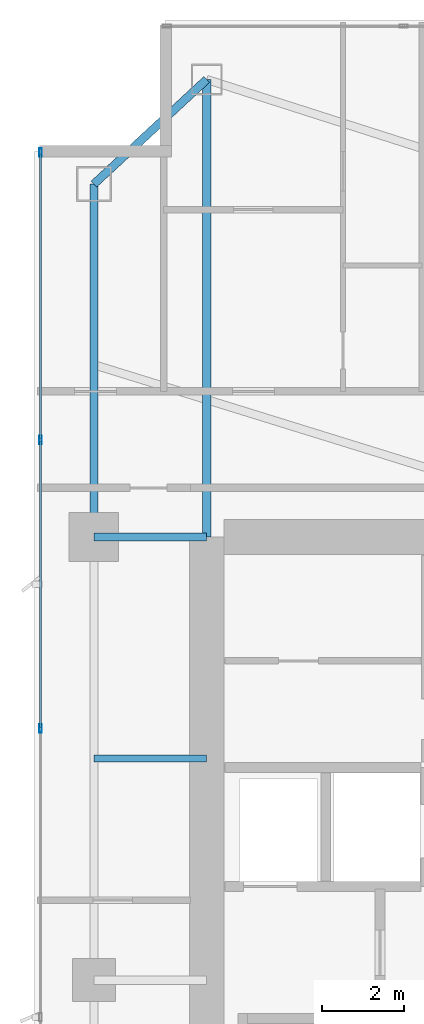
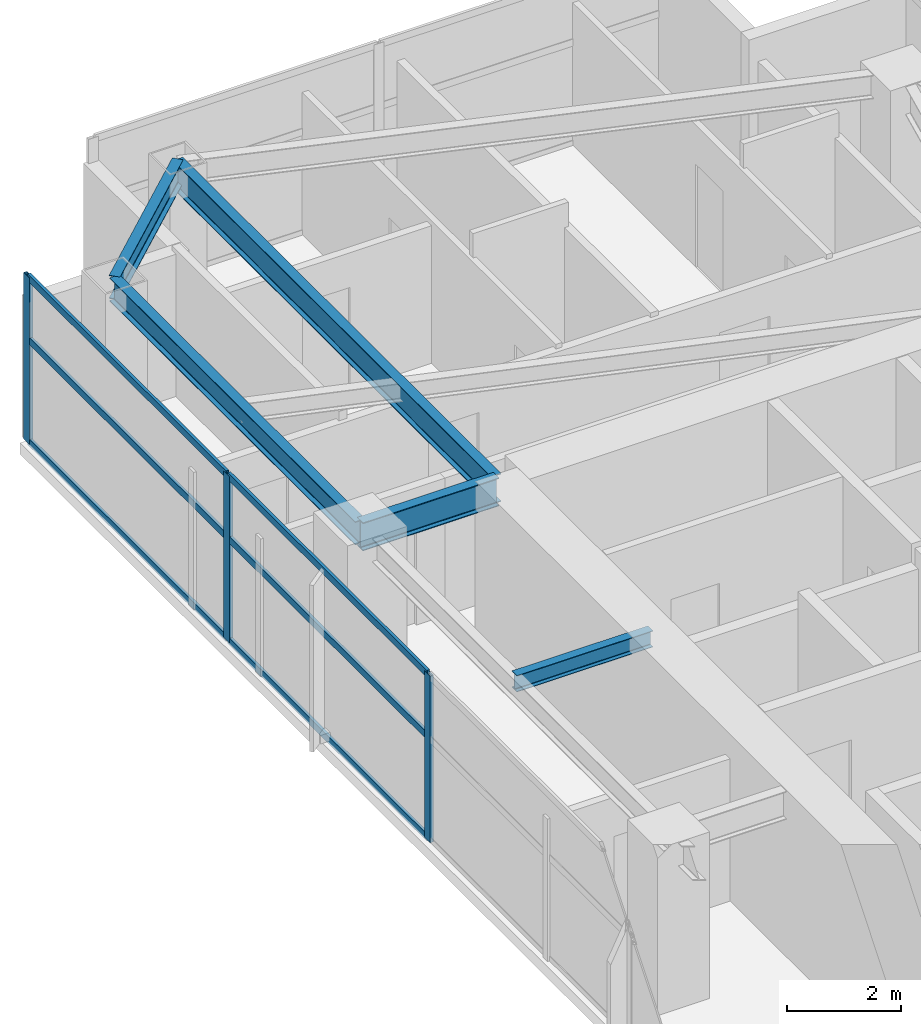
# One storey, part 16 of 28: 9 members, 5 beams, 1 element without a shape of its own.
"""IFC4 building model written with IfcOpenShell, lengths in metres."""

from ifc_helpers import new_model, si_unit, direction, frame, origin, origin_2d, place, context, subcontext, project, spatial, hollow_rectangle, i_section, extrude, material, layer, layer_set, material_profile, profile_set, type_object, element, aggregate, save


model = new_model("IFC4")

# Units and contexts
model_context = context("Model", 3, precision=1e-05, world=origin(), true_north=direction((0.0, 1.0)))
body_context = subcontext(model_context, "Body", "Model", "MODEL_VIEW")
ifc_project = project(units=[si_unit("LENGTHUNIT", "METRE"), si_unit("AREAUNIT", "SQUARE_METRE"), si_unit("VOLUMEUNIT", "CUBIC_METRE"), si_unit("PLANEANGLEUNIT", "RADIAN"), si_unit("MASSUNIT", "GRAM", prefix="KILO")], contexts=[model_context])

# Site, building, storey
site_placement = place(None, origin())
site = spatial("IfcSite", under=ifc_project, at=site_placement, CompositionType="ELEMENT")
building_placement = place(site_placement, origin())
building = spatial("IfcBuilding", under=site, at=building_placement, Name="Calvorn Quay Hotel", CompositionType="ELEMENT")
storey_placement = place(building_placement, frame((0.0, 0.0, 178.89990234375)))
storey = spatial("IfcBuildingStorey", under=building, at=storey_placement, Name="L44", CompositionType="ELEMENT", Elevation=178.89990234375)

# Beams
ifc_material_1 = material(Name="Steel Q355B", Category="steel")
ifc_material_profile_1 = material_profile(ifc_material_1, i_section(OverallWidth=0.199951171875, OverallDepth=0.60009765625, WebThickness=0.010986328125, FlangeThickness=0.01708984375, FilletRadius=0.01806640625, at=origin_2d()), Name="HN600x200x11x17")
ifc_profile_set_1 = profile_set([ifc_material_profile_1], Name="Steel Q355B")
beam_type_1 = type_object("IfcBeamType", Name="BM-GIRD-TYP", PredefinedType="BEAM", material=ifc_profile_set_1)
beam_1_placement = place(storey_placement, frame((1.449951171875, 38.39990234375, 3.239990234375), z_axis=(1.0, 0.0, 0.0), x_axis=(0.0, 1.0, 0.0)))
element("IfcBeam", 1, at=beam_1_placement, inside=storey, type_object=beam_type_1, Name="Beam BG-L44-W3", PredefinedType="BEAM", context=body_context, shape_type="SweptSolid", body=[
    extrude(i_section(OverallWidth=0.199951171875, OverallDepth=0.60009765625, WebThickness=0.010986328125, FlangeThickness=0.01708984375, FilletRadius=0.01806640625, at=origin_2d()), origin(), (0.0, 0.0, 1.0), 2.75),
])
beam_2_placement = place(storey_placement, frame((4.199951171875, 49.550048828125, 3.239990234375), z_axis=(0.0, -1.0, 0.0), x_axis=(1.0, 0.0, 0.0)))
element("IfcBeam", 2, at=beam_2_placement, inside=storey, type_object=beam_type_1, Name="Beam BG-L44-W5", PredefinedType="BEAM", context=body_context, shape_type="SweptSolid", body=[
    extrude(i_section(OverallWidth=0.199951171875, OverallDepth=0.60009765625, WebThickness=0.010986328125, FlangeThickness=0.01708984375, FilletRadius=0.01806640625, at=origin_2d()), origin(), (0.0, 0.0, 1.0), 11.150146484375),
])
ifc_material_2 = material(Name="Steel Q355B", Category="steel")
ifc_material_profile_2 = material_profile(ifc_material_2, i_section(OverallWidth=0.175048828125, OverallDepth=0.35009765625, WebThickness=0.007080078125, FlangeThickness=0.010986328125, FilletRadius=0.013916015625, at=origin_2d()), Name="HN350x175x7x11")
ifc_profile_set_2 = profile_set([ifc_material_profile_2], Name="Steel Q355B")
beam_type_2 = type_object("IfcBeamType", Name="BM-JOIST-SEC", PredefinedType="JOIST", material=ifc_profile_set_2)
beam_3_placement = place(storey_placement, frame((1.449951171875, 33.0, 3.364990234375), z_axis=(1.0, 0.0, 0.0), x_axis=(0.0, 1.0, 0.0)))
element("IfcBeam", 3, at=beam_3_placement, inside=storey, type_object=beam_type_2, Name="Beam BJ-L44-W4", PredefinedType="JOIST", context=body_context, shape_type="SweptSolid", body=[
    extrude(i_section(OverallWidth=0.175048828125, OverallDepth=0.35009765625, WebThickness=0.007080078125, FlangeThickness=0.010986328125, FilletRadius=0.013916015625, at=origin_2d()), origin(), (0.0, 0.0, 1.0), 2.75),
])
ifc_material_3 = material(Name="Steel Q355B", Category="steel")
ifc_material_profile_3 = material_profile(ifc_material_3, i_section(OverallWidth=0.199951171875, OverallDepth=0.5, WebThickness=0.010009765625, FlangeThickness=0.01611328125, FilletRadius=0.01611328125, at=origin_2d()), Name="HN500x200x10x16")
ifc_profile_set_3 = profile_set([ifc_material_profile_3], Name="Steel Q355B")
beam_type_3 = type_object("IfcBeamType", Name="BM-SPANDREL-Z1", PredefinedType="SPANDREL", material=ifc_profile_set_3)
beam_4_placement = place(storey_placement, frame((1.449951171875, 38.39990234375, 3.2900390625), z_axis=(0.0, 1.0, 0.0), x_axis=(-1.0, 0.0, 0.0)))
element("IfcBeam", 4, at=beam_4_placement, inside=storey, type_object=beam_type_3, Name="Beam BSP-L44-W4", PredefinedType="SPANDREL", context=body_context, shape_type="SweptSolid", body=[
    extrude(i_section(OverallWidth=0.199951171875, OverallDepth=0.5, WebThickness=0.010009765625, FlangeThickness=0.01611328125, FilletRadius=0.01611328125, at=origin_2d()), origin(), (0.0, 0.0, 1.0), 8.60009765625),
])
beam_5_placement = place(storey_placement, frame((1.449951171875, 47.0, 3.2900390625), z_axis=(0.733261665538, 0.679946563969, 0.0), x_axis=(-0.679946563969, 0.733261665538, 0.0)))
element("IfcBeam", 5, at=beam_5_placement, inside=storey, type_object=beam_type_3, Name="Beam BSP-L44-W5", PredefinedType="SPANDREL", context=body_context, shape_type="SweptSolid", body=[
    extrude(i_section(OverallWidth=0.199951171875, OverallDepth=0.5, WebThickness=0.010009765625, FlangeThickness=0.01611328125, FilletRadius=0.01611328125, at=origin_2d()), origin(), (0.0, 0.0, 1.0), 3.75048828125),
])

# Curtain wall, members
ifc_material_4 = material(Name="Pale Anodised Aluminium and Low-E Glass", Category="aluminium")
ifc_layer = layer(ifc_material_4, 0.219970703125)
ifc_layer_set = layer_set([ifc_layer], Name="CW-SYS-Z2")
curtain_wall_type = type_object("IfcCurtainWallType", Name="CW-SYS-Z2", PredefinedType="NOTDEFINED", material=ifc_layer_set)
curtain_wall_placement = place(storey_placement, origin())
curtain_wall = element("IfcCurtainWall", 6, at=curtain_wall_placement, inside=storey, type_object=curtain_wall_type, Name="Tower West Curtain Wall (L44)", PredefinedType="NOTDEFINED")
ifc_material_5 = material(Name="Pale Anodised Aluminium 6063-T6", Category="aluminium")
ifc_material_profile_4 = material_profile(ifc_material_5, hollow_rectangle(XDim=0.070068359375, YDim=0.199951171875, WallThickness=0.00390625, at=origin_2d()), Name="ALU-M200x70x4")
ifc_profile_set_4 = profile_set([ifc_material_profile_4], Name="Pale Anodised Aluminium 6063-T6")
member_type_1 = type_object("IfcMemberType", Name="CW-SYS-Z2-MUL", PredefinedType="MULLION", material=ifc_profile_set_4)
member_1_placement = place(storey_placement, frame((0.14990234375, 33.7333984375, 0.0), z_axis=(0.0, 0.0, 1.0), x_axis=(-1.0, 0.0, 0.0)))
member_1 = element("IfcMember", 7, at=member_1_placement, type_object=member_type_1, Name="CW-L44-W mullion 5", PredefinedType="MULLION", context=body_context, shape_type="SweptSolid", body=[
    extrude(hollow_rectangle(XDim=0.070068359375, YDim=0.199951171875, WallThickness=0.00390625, at=origin_2d()), origin(), (0.0, 0.0, 1.0), 3.56005859375),
])
member_2_placement = place(storey_placement, frame((0.14990234375, 40.7666015625, 0.0), z_axis=(0.0, 0.0, 1.0), x_axis=(-1.0, 0.0, 0.0)))
member_2 = element("IfcMember", 8, at=member_2_placement, type_object=member_type_1, Name="CW-L44-W mullion 6", PredefinedType="MULLION", context=body_context, shape_type="SweptSolid", body=[
    extrude(hollow_rectangle(XDim=0.070068359375, YDim=0.199951171875, WallThickness=0.00390625, at=origin_2d()), origin(), (0.0, 0.0, 1.0), 3.56005859375),
])
member_3_placement = place(storey_placement, frame((0.14990234375, 47.77001953125, 0.0), z_axis=(0.0, 0.0, 1.0), x_axis=(-1.0, 0.0, 0.0)))
member_3 = element("IfcMember", 9, at=member_3_placement, type_object=member_type_1, Name="CW-L44-W mullion 7", PredefinedType="MULLION", context=body_context, shape_type="SweptSolid", body=[
    extrude(hollow_rectangle(XDim=0.070068359375, YDim=0.199951171875, WallThickness=0.00390625, at=origin_2d()), origin(), (0.0, 0.0, 1.0), 3.56005859375),
])
ifc_material_6 = material(Name="Pale Anodised Aluminium 6063-T6", Category="aluminium")
ifc_material_profile_5 = material_profile(ifc_material_6, hollow_rectangle(XDim=0.06005859375, YDim=0.14990234375, WallThickness=0.00341796875, at=origin_2d()), Name="ALU-T150x60x3.5")
ifc_profile_set_5 = profile_set([ifc_material_profile_5], Name="Pale Anodised Aluminium 6063-T6")
member_type_2 = type_object("IfcMemberType", Name="CW-SYS-Z2-TRN", PredefinedType="USERDEFINED", material=ifc_profile_set_5)
member_4_placement = place(storey_placement, frame((0.14990234375, 33.763427734375, 0.030029296875), z_axis=(0.0, 1.0, 0.0), x_axis=(-1.0, 0.0, 0.0)))
member_4 = element("IfcMember", 10, at=member_4_placement, type_object=member_type_2, Name="CW-L44-W transom 5.1", ObjectType="TRANSOM", PredefinedType="USERDEFINED", context=body_context, shape_type="SweptSolid", body=[
    extrude(hollow_rectangle(XDim=0.06005859375, YDim=0.14990234375, WallThickness=0.00341796875, at=origin_2d()), origin(), (0.0, 0.0, 1.0), 6.97314453125),
])
member_5_placement = place(storey_placement, frame((0.14990234375, 33.763427734375, 2.2001953125), z_axis=(0.0, 1.0, 0.0), x_axis=(-1.0, 0.0, 0.0)))
member_5 = element("IfcMember", 11, at=member_5_placement, type_object=member_type_2, Name="CW-L44-W transom 5.2", ObjectType="TRANSOM", PredefinedType="USERDEFINED", context=body_context, shape_type="SweptSolid", body=[
    extrude(hollow_rectangle(XDim=0.06005859375, YDim=0.14990234375, WallThickness=0.00341796875, at=origin_2d()), origin(), (0.0, 0.0, 1.0), 6.97314453125),
])
member_6_placement = place(storey_placement, frame((0.14990234375, 33.763427734375, 3.530029296875), z_axis=(0.0, 1.0, 0.0), x_axis=(-1.0, 0.0, 0.0)))
member_6 = element("IfcMember", 12, at=member_6_placement, type_object=member_type_2, Name="CW-L44-W transom 5.3", ObjectType="TRANSOM", PredefinedType="USERDEFINED", context=body_context, shape_type="SweptSolid", body=[
    extrude(hollow_rectangle(XDim=0.06005859375, YDim=0.14990234375, WallThickness=0.00341796875, at=origin_2d()), origin(), (0.0, 0.0, 1.0), 6.97314453125),
])
member_7_placement = place(storey_placement, frame((0.14990234375, 40.796630859375, 0.030029296875), z_axis=(0.0, 1.0, 0.0), x_axis=(-1.0, 0.0, 0.0)))
member_7 = element("IfcMember", 13, at=member_7_placement, type_object=member_type_2, Name="CW-L44-W transom 6.1", ObjectType="TRANSOM", PredefinedType="USERDEFINED", context=body_context, shape_type="SweptSolid", body=[
    extrude(hollow_rectangle(XDim=0.06005859375, YDim=0.14990234375, WallThickness=0.00341796875, at=origin_2d()), origin(), (0.0, 0.0, 1.0), 6.943359375),
])
member_8_placement = place(storey_placement, frame((0.14990234375, 40.796630859375, 2.2001953125), z_axis=(0.0, 1.0, 0.0), x_axis=(-1.0, 0.0, 0.0)))
member_8 = element("IfcMember", 14, at=member_8_placement, type_object=member_type_2, Name="CW-L44-W transom 6.2", ObjectType="TRANSOM", PredefinedType="USERDEFINED", context=body_context, shape_type="SweptSolid", body=[
    extrude(hollow_rectangle(XDim=0.06005859375, YDim=0.14990234375, WallThickness=0.00341796875, at=origin_2d()), origin(), (0.0, 0.0, 1.0), 6.943359375),
])
member_9_placement = place(storey_placement, frame((0.14990234375, 40.796630859375, 3.530029296875), z_axis=(0.0, 1.0, 0.0), x_axis=(-1.0, 0.0, 0.0)))
member_9 = element("IfcMember", 15, at=member_9_placement, type_object=member_type_2, Name="CW-L44-W transom 6.3", ObjectType="TRANSOM", PredefinedType="USERDEFINED", context=body_context, shape_type="SweptSolid", body=[
    extrude(hollow_rectangle(XDim=0.06005859375, YDim=0.14990234375, WallThickness=0.00341796875, at=origin_2d()), origin(), (0.0, 0.0, 1.0), 6.943359375),
])
aggregate(curtain_wall, [member_1, member_2, member_3, member_4, member_5, member_6, member_7, member_8, member_9])

save(model, "model.ifc")
